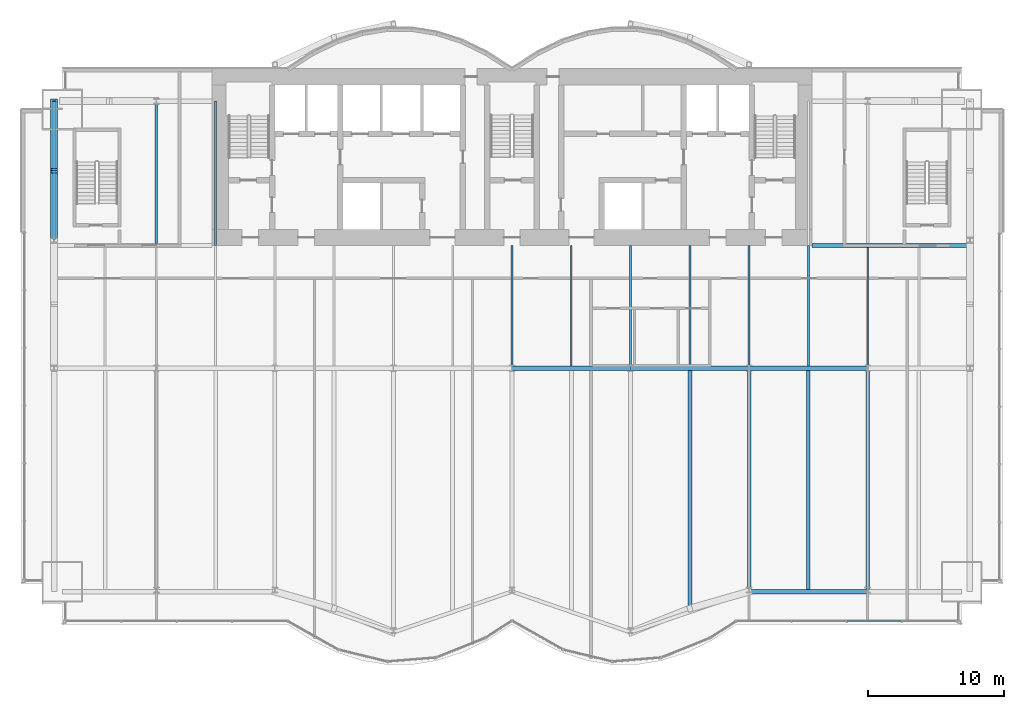
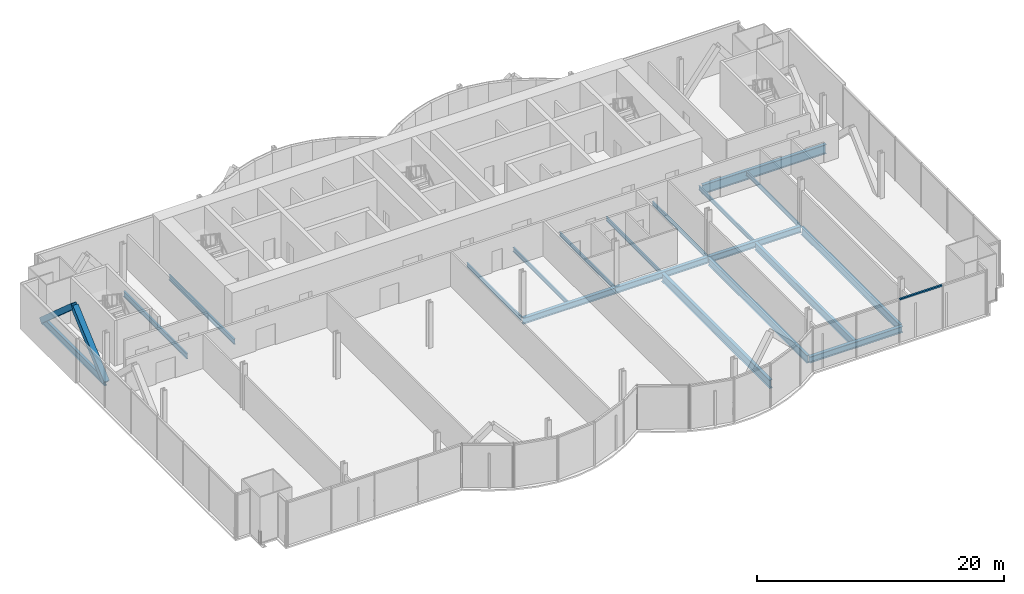
# One storey, part 9 of 21: 19 beams, 3 members, 1 element without a shape of its own.
"""IFC4 building model written with IfcOpenShell, lengths in metres."""

from ifc_helpers import new_model, si_unit, direction, frame, origin, origin_2d, place, context, subcontext, project, spatial, rectangle, hollow_rectangle, i_section, extrude, material, material_profile, profile_set, type_object, element, aggregate, save


model = new_model("IFC4")

# Units and contexts
model_context = context("Model", 3, precision=1e-05, world=origin(), true_north=direction((0.0, 1.0)))
body_context = subcontext(model_context, "Body", "Model", "MODEL_VIEW")
ifc_project = project(units=[si_unit("LENGTHUNIT", "METRE"), si_unit("AREAUNIT", "SQUARE_METRE"), si_unit("VOLUMEUNIT", "CUBIC_METRE"), si_unit("PLANEANGLEUNIT", "RADIAN"), si_unit("MASSUNIT", "GRAM", prefix="KILO")], contexts=[model_context])

# Site, building, storey
site_placement = place(None, origin())
site = spatial("IfcSite", under=ifc_project, at=site_placement, CompositionType="ELEMENT")
building_placement = place(site_placement, origin())
building = spatial("IfcBuilding", under=site, at=building_placement, Name="Bicima Exchange Tower", CompositionType="ELEMENT")
storey_placement = place(building_placement, frame((0.0, 0.0, 57.5)))
storey = spatial("IfcBuildingStorey", under=building, at=storey_placement, Name="L11", CompositionType="ELEMENT", Elevation=57.5)

# Beams
ifc_material_1 = material(Name="Steel ASTM A992 Gr 50", Category="steel")
ifc_material_profile_1 = material_profile(ifc_material_1, i_section(OverallWidth=0.3046875, OverallDepth=0.911865234375, WebThickness=0.015869140625, FlangeThickness=0.02392578125, at=origin_2d()))
ifc_profile_set_1 = profile_set([ifc_material_profile_1], Name="Steel ASTM A992 Gr 50")
beam_type_1 = type_object("IfcBeamType", Name="Core-line girder W36x150", PredefinedType="BEAM", material=ifc_profile_set_1)
beam_1_placement = place(storey_placement, frame((22.0, -13.0, -0.60595703125), z_axis=(1.0, 0.0, 0.0), x_axis=(0.0, 1.0, 0.0)))
element("IfcBeam", 1, at=beam_1_placement, inside=storey, type_object=beam_type_1, Name="Core-line girder", PredefinedType="BEAM", context=body_context, shape_type="SweptSolid", body=[
    extrude(i_section(OverallWidth=0.3046875, OverallDepth=0.911865234375, WebThickness=0.015869140625, FlangeThickness=0.02392578125, at=origin_2d()), origin(), (0.0, 0.0, 1.0), 11.60009765625),
])
ifc_material_profile_2 = material_profile(ifc_material_1, i_section(OverallWidth=0.256591796875, OverallDepth=0.693359375, WebThickness=0.014404296875, FlangeThickness=0.023681640625, at=origin_2d()))
ifc_profile_set_2 = profile_set([ifc_material_profile_2], Name="Steel ASTM A992 Gr 50")
beam_type_2 = type_object("IfcBeamType", Name="End girder W27x114", PredefinedType="BEAM", material=ifc_profile_set_2)
beam_2_placement = place(storey_placement, frame((-33.60009765625, -2.39990234375, -0.49658203125), z_axis=(0.0, -1.0, 0.0), x_axis=(1.0, 0.0, 0.0)))
element("IfcBeam", 2, at=beam_2_placement, inside=storey, type_object=beam_type_2, Name="End girder", PredefinedType="BEAM", context=body_context, shape_type="SweptSolid", body=[
    extrude(i_section(OverallWidth=0.256591796875, OverallDepth=0.693359375, WebThickness=0.014404296875, FlangeThickness=0.023681640625, at=origin_2d()), origin(), (0.0, 0.0, 1.0), 10.2001953125),
])
ifc_material_profile_3 = material_profile(ifc_material_1, i_section(OverallWidth=0.140380859375, OverallDepth=0.40380859375, WebThickness=0.007080078125, FlangeThickness=0.01123046875, at=origin_2d()))
ifc_profile_set_3 = profile_set([ifc_material_profile_3], Name="Steel ASTM A992 Gr 50")
beam_type_3 = type_object("IfcBeamType", Name="Floor beam W16x31", PredefinedType="JOIST", material=ifc_profile_set_3)
for number, where, z_axis, x_axis, name in (
    (3, (0.0, -13.0, -0.351806640625), (0.0, -1.0, 0.0), (1.0, 0.0, 0.0), "Floor beam"),
    (4, (4.35009765625, -13.0, -0.351806640625), (0.0, -1.0, 0.0), (1.0, 0.0, 0.0), "Floor beam"),
    (5, (8.699951171875, -13.0, -0.351806640625), (0.0, -1.0, 0.0), (1.0, 0.0, 0.0), "Floor beam"),
    (6, (13.050048828125, -13.0, -0.351806640625), (0.0, -1.0, 0.0), (1.0, 0.0, 0.0), "Floor beam"),
    (7, (17.39990234375, -13.0, -0.351806640625), (0.0, -1.0, 0.0), (1.0, 0.0, 0.0), "Floor beam"),
    (8, (21.75, -13.0, -0.351806640625), (0.0, -1.0, 0.0), (1.0, 0.0, 0.0), "Floor beam"),
):
    element("IfcBeam", number, at=place(storey_placement, frame(where, z_axis=z_axis, x_axis=x_axis)), inside=storey, type_object=beam_type_3, Name=name, PredefinedType="JOIST", context=body_context, shape_type="SweptSolid", body=[
        extrude(i_section(OverallWidth=0.140380859375, OverallDepth=0.40380859375, WebThickness=0.007080078125, FlangeThickness=0.01123046875, at=origin_2d()), origin(), (0.0, 0.0, 1.0), 8.83740234375),
    ])
beam_3_placement = place(storey_placement, frame((26.10009765625, -13.15234375, -0.351806640625), z_axis=(0.0, -1.0, 0.0), x_axis=(1.0, 0.0, 0.0)))
element("IfcBeam", 9, at=beam_3_placement, inside=storey, type_object=beam_type_3, Name="Floor beam", PredefinedType="JOIST", context=body_context, shape_type="SweptSolid", body=[
    extrude(i_section(OverallWidth=0.140380859375, OverallDepth=0.40380859375, WebThickness=0.007080078125, FlangeThickness=0.01123046875, at=origin_2d()), origin(), (0.0, 0.0, 1.0), 8.68505859375),
])
ifc_material_profile_4 = material_profile(ifc_material_1, i_section(OverallWidth=0.165771484375, OverallDepth=0.5283203125, WebThickness=0.009765625, FlangeThickness=0.013671875, at=origin_2d()))
ifc_profile_set_4 = profile_set([ifc_material_profile_4], Name="Steel ASTM A992 Gr 50")
beam_type_4 = type_object("IfcBeamType", Name="Floor beam W21x50", PredefinedType="JOIST", material=ifc_profile_set_4)
beam_4_placement = place(storey_placement, frame((-26.10009765625, -2.5625, -0.414306640625), z_axis=(0.0, -1.0, 0.0), x_axis=(1.0, 0.0, 0.0)))
element("IfcBeam", 10, at=beam_4_placement, inside=storey, type_object=beam_type_4, Name="Floor beam", PredefinedType="JOIST", context=body_context, shape_type="SweptSolid", body=[
    extrude(i_section(OverallWidth=0.165771484375, OverallDepth=0.5283203125, WebThickness=0.009765625, FlangeThickness=0.013671875, at=origin_2d()), origin(), (0.0, 0.0, 1.0), 10.28515625),
])
beam_5_placement = place(storey_placement, frame((-21.75, -2.39990234375, -0.414306640625), z_axis=(0.0, -1.0, 0.0), x_axis=(1.0, 0.0, 0.0)))
element("IfcBeam", 11, at=beam_5_placement, inside=storey, type_object=beam_type_4, Name="Floor beam", PredefinedType="JOIST", context=body_context, shape_type="SweptSolid", body=[
    extrude(i_section(OverallWidth=0.165771484375, OverallDepth=0.5283203125, WebThickness=0.009765625, FlangeThickness=0.013671875, at=origin_2d()), origin(), (0.0, 0.0, 1.0), 10.60009765625),
])
ifc_material_profile_5 = material_profile(ifc_material_1, i_section(OverallWidth=0.2666015625, OverallDepth=0.75439453125, WebThickness=0.01318359375, FlangeThickness=0.01708984375, at=origin_2d()))
ifc_profile_set_5 = profile_set([ifc_material_profile_5], Name="Steel ASTM A992 Gr 50")
beam_type_5 = type_object("IfcBeamType", Name="Floor beam W30x99", PredefinedType="JOIST", material=ifc_profile_set_5)
beam_6_placement = place(storey_placement, frame((17.39990234375, -22.16259765625, -0.527099609375), z_axis=(0.0, -1.0, 0.0), x_axis=(1.0, 0.0, 0.0)))
element("IfcBeam", 12, at=beam_6_placement, inside=storey, type_object=beam_type_5, Name="Floor beam", PredefinedType="JOIST", context=body_context, shape_type="SweptSolid", body=[
    extrude(i_section(OverallWidth=0.2666015625, OverallDepth=0.75439453125, WebThickness=0.01318359375, FlangeThickness=0.01708984375, at=origin_2d()), origin(), (0.0, 0.0, 1.0), 16.081787109375),
])
for number, where, z_axis, x_axis, name in (
    (13, (21.75, -22.16259765625, -0.527099609375), (0.0, -1.0, 0.0), (1.0, 0.0, 0.0), "Floor beam"),
    (14, (26.10009765625, -22.16259765625, -0.527099609375), (0.0, -1.0, 0.0), (1.0, 0.0, 0.0), "Floor beam"),
):
    element("IfcBeam", number, at=place(storey_placement, frame(where, z_axis=z_axis, x_axis=x_axis)), inside=storey, type_object=beam_type_5, Name=name, PredefinedType="JOIST", context=body_context, shape_type="SweptSolid", body=[
        extrude(i_section(OverallWidth=0.2666015625, OverallDepth=0.75439453125, WebThickness=0.01318359375, FlangeThickness=0.01708984375, at=origin_2d()), origin(), (0.0, 0.0, 1.0), 16.0546875),
    ])
ifc_material_profile_6 = material_profile(ifc_material_1, i_section(OverallWidth=0.2919921875, OverallDepth=0.835693359375, WebThickness=0.013916015625, FlangeThickness=0.018798828125, at=origin_2d()))
ifc_profile_set_6 = profile_set([ifc_material_profile_6], Name="Steel ASTM A992 Gr 50")
beam_type_6 = type_object("IfcBeamType", Name="Floor beam W33x118", PredefinedType="JOIST", material=ifc_profile_set_6)
beam_7_placement = place(storey_placement, frame((13.050048828125, -22.16259765625, -0.56787109375), z_axis=(0.0, -1.0, 0.0), x_axis=(1.0, 0.0, 0.0)))
element("IfcBeam", 15, at=beam_7_placement, inside=storey, type_object=beam_type_6, Name="Floor beam", PredefinedType="JOIST", context=body_context, shape_type="SweptSolid", body=[
    extrude(i_section(OverallWidth=0.2919921875, OverallDepth=0.835693359375, WebThickness=0.013916015625, FlangeThickness=0.018798828125, at=origin_2d()), origin(), (0.0, 0.0, 1.0), 17.577392578125),
])
ifc_material_profile_7 = material_profile(ifc_material_1, i_section(OverallWidth=0.3251953125, OverallDepth=0.612060546875, WebThickness=0.0126953125, FlangeThickness=0.01904296875, at=origin_2d()))
ifc_profile_set_7 = profile_set([ifc_material_profile_7], Name="Steel ASTM A992 Gr 50")
beam_type_7 = type_object("IfcBeamType", Name="Front girder W24x104", PredefinedType="BEAM", material=ifc_profile_set_7)
beam_8_placement = place(storey_placement, frame((17.39990234375, -38.3798828125, -0.4560546875), z_axis=(1.0, 0.0, 0.0), x_axis=(0.0, 1.0, 0.0)))
element("IfcBeam", 16, at=beam_8_placement, inside=storey, type_object=beam_type_7, Name="Front girder", PredefinedType="BEAM", context=body_context, shape_type="SweptSolid", body=[
    extrude(i_section(OverallWidth=0.3251953125, OverallDepth=0.612060546875, WebThickness=0.0126953125, FlangeThickness=0.01904296875, at=origin_2d()), origin(), (0.0, 0.0, 1.0), 8.7001953125),
])

# Curtain wall, member
ifc_material_2 = material(Name="Anodised bronze aluminium", Category="aluminium")
curtain_wall_type = type_object("IfcCurtainWallType", Name="Front glass wall", PredefinedType="NOTDEFINED", material=ifc_material_2)
curtain_wall_placement = place(storey_placement, origin())
curtain_wall = element("IfcCurtainWall", 17, at=curtain_wall_placement, inside=storey, type_object=curtain_wall_type, Name="Front glass wall L11 run 16", PredefinedType="NOTDEFINED")
ifc_material_profile_8 = material_profile(ifc_material_2, rectangle(XDim=0.159912109375, YDim=0.139892578125, at=origin_2d()))
ifc_profile_set_8 = profile_set([ifc_material_profile_8], Name="Anodised bronze aluminium")
member_type_1 = type_object("IfcMemberType", Name="Front glass wall transom 140 x 160", PredefinedType="USERDEFINED", material=ifc_profile_set_8)
member_placement = place(storey_placement, frame((24.591064453125, -40.550048828125, 4.280029296875), z_axis=(1.0, 0.0, 0.0), x_axis=(0.0, 1.0, 0.0)))
member = element("IfcMember", 18, at=member_placement, type_object=member_type_1, Name="Front glass wall transom 3.1", ObjectType="TRANSOM", PredefinedType="USERDEFINED", context=body_context, shape_type="SweptSolid", body=[
    extrude(rectangle(XDim=0.159912109375, YDim=0.139892578125, at=origin_2d()), origin(), (0.0, 0.0, 1.0), 3.989501953125),
])
aggregate(curtain_wall, [member])

# Members
ifc_material_3 = material(Name="Steel ASTM A572 Gr 50", Category="steel")
ifc_material_profile_9 = material_profile(ifc_material_3, hollow_rectangle(XDim=0.508056640625, YDim=0.508056640625, WallThickness=0.017822265625, at=origin_2d()))
ifc_profile_set_9 = profile_set([ifc_material_profile_9], Name="Steel ASTM A572 Gr 50")
member_type_2 = type_object("IfcMemberType", Name="Mega brace HSS20x20x3/4", PredefinedType="BRACE", material=ifc_profile_set_9)
for number, where, z_axis, x_axis, name in (
    (19, (-33.60009765625, -2.39990234375, -0.49658203125), (0.0, -0.749844140428, 0.661614513948), (1.0, 0.0, 0.0), "Mega brace west end"),
    (20, (-33.60009765625, -12.60009765625, -0.49658203125), (0.0, 0.749844140428, 0.661614513948), (-1.0, 0.0, 0.0), "Mega brace west end"),
):
    element("IfcMember", number, at=place(storey_placement, frame(where, z_axis=z_axis, x_axis=x_axis)), inside=storey, type_object=member_type_2, Name=name, PredefinedType="BRACE", context=body_context, shape_type="SweptSolid", body=[
        extrude(hollow_rectangle(XDim=0.508056640625, YDim=0.508056640625, WallThickness=0.017822265625, at=origin_2d()), origin(), (0.0, 0.0, 1.0), 6.801513671875),
    ])

# Beams
beam_type_8 = type_object("IfcBeamType", Name="Row girder W24x104", PredefinedType="BEAM", material=ifc_profile_set_7)
for number, where, z_axis, x_axis, name in (
    (21, (0.0, -22.0, -0.4560546875), (1.0, 0.0, 0.0), (0.0, 1.0, 0.0), "Row girder"),
    (22, (8.699951171875, -22.0, -0.4560546875), (1.0, 0.0, 0.0), (0.0, 1.0, 0.0), "Row girder"),
):
    element("IfcBeam", number, at=place(storey_placement, frame(where, z_axis=z_axis, x_axis=x_axis)), inside=storey, type_object=beam_type_8, Name=name, PredefinedType="BEAM", context=body_context, shape_type="SweptSolid", body=[
        extrude(i_section(OverallWidth=0.3251953125, OverallDepth=0.612060546875, WebThickness=0.0126953125, FlangeThickness=0.01904296875, at=origin_2d()), origin(), (0.0, 0.0, 1.0), 8.699951171875),
    ])
beam_9_placement = place(storey_placement, frame((17.39990234375, -22.0, -0.4560546875), z_axis=(1.0, 0.0, 0.0), x_axis=(0.0, 1.0, 0.0)))
element("IfcBeam", 23, at=beam_9_placement, inside=storey, type_object=beam_type_8, Name="Row girder", PredefinedType="BEAM", context=body_context, shape_type="SweptSolid", body=[
    extrude(i_section(OverallWidth=0.3251953125, OverallDepth=0.612060546875, WebThickness=0.0126953125, FlangeThickness=0.01904296875, at=origin_2d()), origin(), (0.0, 0.0, 1.0), 8.7001953125),
])

save(model, "model.ifc")
